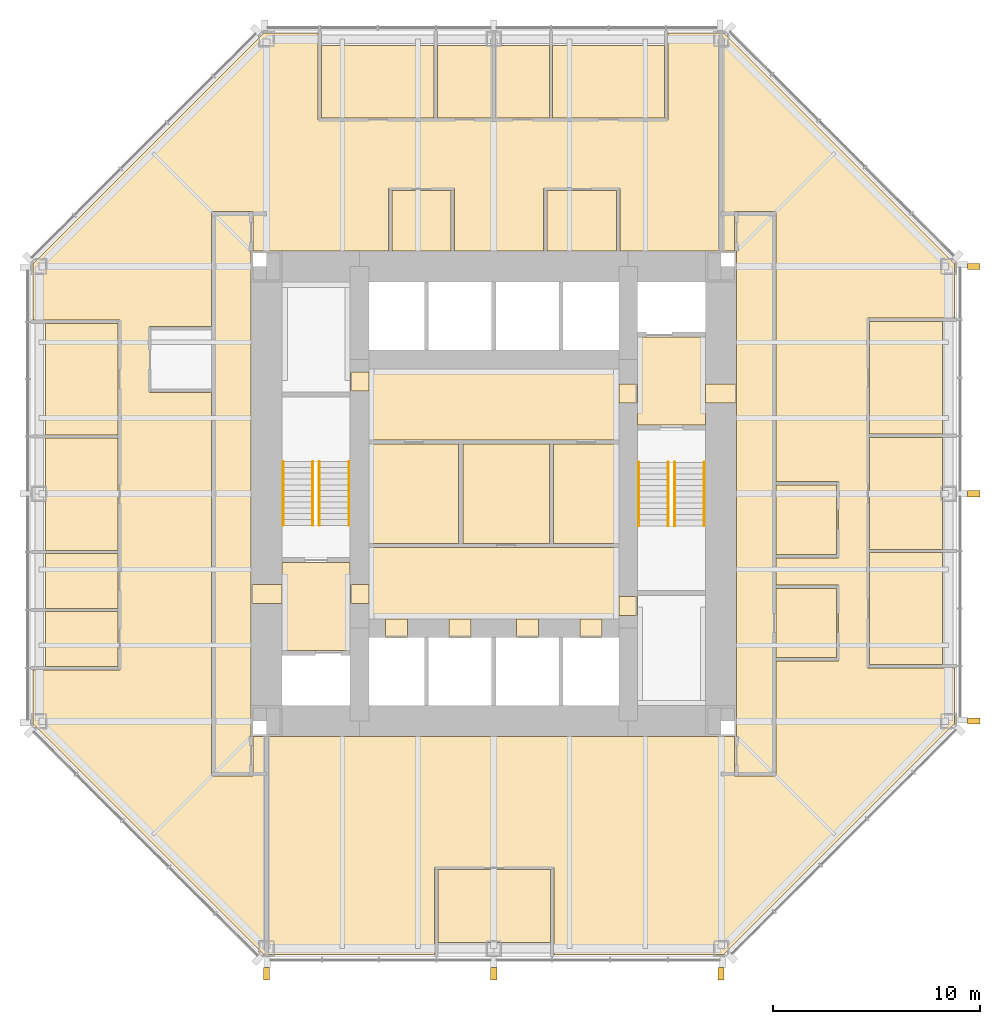
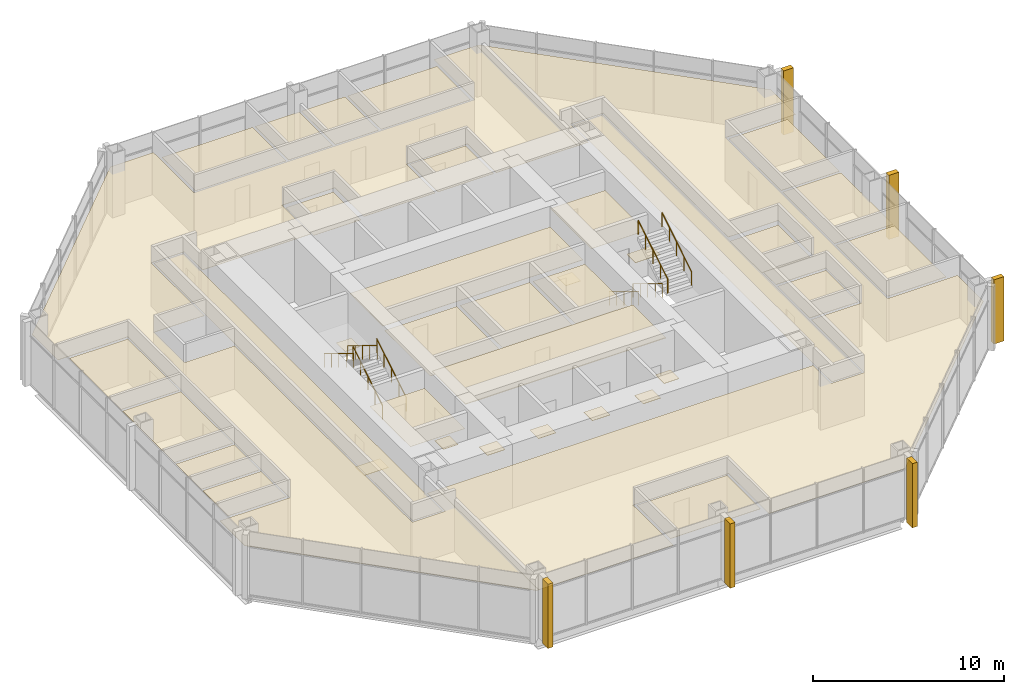
# One storey, part 12 of 12: 43 coverings, 8 railings.
"""IFC4 building model written with IfcOpenShell, lengths in metres."""

from ifc_helpers import new_model, si_unit, direction, frame, origin, origin_2d, place, context, subcontext, project, spatial, polyline, rectangle, circle, outline, extrude, material, layer, layer_set, type_object, element, save


model = new_model("IFC4")

# Units and contexts
model_context = context("Model", 3, precision=1e-05, world=origin(), true_north=direction((0.0, 1.0)))
body_context = subcontext(model_context, "Body", "Model", "MODEL_VIEW")
ifc_project = project(units=[si_unit("LENGTHUNIT", "METRE"), si_unit("AREAUNIT", "SQUARE_METRE"), si_unit("VOLUMEUNIT", "CUBIC_METRE"), si_unit("PLANEANGLEUNIT", "RADIAN"), si_unit("MASSUNIT", "GRAM", prefix="KILO")], contexts=[model_context])

# Site, building, storey
site_placement = place(None, origin())
site = spatial("IfcSite", under=ifc_project, at=site_placement, CompositionType="ELEMENT")
building_placement = place(site_placement, origin())
building = spatial("IfcBuilding", under=site, at=building_placement, Name="Trevanion Tower", CompositionType="ELEMENT")
storey_placement = place(building_placement, frame((0.0, 0.0, 125.39990234375)))
storey = spatial("IfcBuildingStorey", under=building, at=storey_placement, Name="L29", CompositionType="ELEMENT", Elevation=125.39990234375)

# Coverings
ifc_material_1 = material(Name="Fibrous plaster coffers on suspended steel grid", Category="steel")
ifc_layer_1 = layer(ifc_material_1, 0.050048828125)
ifc_layer_set_1 = layer_set([ifc_layer_1], Name="CL1 coffered fibrous plaster ceiling 50")
covering_type_1 = type_object("IfcCoveringType", Name="CL1 coffered fibrous plaster ceiling 50", PredefinedType="CEILING", material=ifc_layer_set_1)
covering_1_placement = place(storey_placement, frame((0.0, 0.0, 3.0)))
element("IfcCovering", 1, at=covering_1_placement, inside=storey, type_object=covering_type_1, Name="CL1 L29-LBS", PredefinedType="CEILING", context=body_context, shape_type="SweptSolid", body=[
    extrude(outline(polyline([(6.050048828125, -6.050048828125), (6.050048828125, -2.60009765625), (-6.050048828125, -2.60009765625), (-6.050048828125, -6.050048828125), (6.050048828125, -6.050048828125)])), origin(), (0.0, 0.0, 1.0), 0.050048828125),
])
ifc_material_2 = material(Name="Mineral fibre acoustic tiles in exposed grid", Category="mineral fibre")
ifc_layer_2 = layer(ifc_material_2, 0.02001953125)
ifc_layer_set_2 = layer_set([ifc_layer_2], Name="CL2 acoustic tile ceiling 20")
covering_type_2 = type_object("IfcCoveringType", Name="CL2 acoustic tile ceiling 20", PredefinedType="CEILING", material=ifc_layer_set_2)
covering_2_placement = place(storey_placement, frame((0.0, 0.0, 2.75)))
element("IfcCovering", 2, at=covering_2_placement, inside=storey, type_object=covering_type_2, Name="CL2 L29-LBN", PredefinedType="CEILING", context=body_context, shape_type="SweptSolid", body=[
    extrude(outline(polyline([(6.050048828125, 2.60009765625), (6.050048828125, 6.050048828125), (-6.050048828125, 6.050048828125), (-6.050048828125, 2.60009765625), (6.050048828125, 2.60009765625)])), origin(), (0.0, 0.0, 1.0), 0.02001953125),
])
covering_3_placement = place(storey_placement, frame((0.0, 0.0, 2.75)))
element("IfcCovering", 3, at=covering_3_placement, inside=storey, type_object=covering_type_2, Name="CL2 L29-CO1", PredefinedType="CEILING", context=body_context, shape_type="SweptSolid", body=[
    extrude(outline(polyline([(-11.75, 13.550048828125), (-11.75, -13.550048828125), (-13.550048828125, -13.550048828125), (-13.550048828125, 13.550048828125), (-11.75, 13.550048828125)])), origin(), (0.0, 0.0, 1.0), 0.02001953125),
])
covering_4_placement = place(storey_placement, frame((0.0, 0.0, 2.75)))
element("IfcCovering", 4, at=covering_4_placement, inside=storey, type_object=covering_type_2, Name="CL2 L29-CO2", PredefinedType="CEILING", context=body_context, shape_type="SweptSolid", body=[
    extrude(outline(polyline([(11.75, 13.550048828125), (13.550048828125, 13.550048828125), (13.550048828125, -13.550048828125), (11.75, -13.550048828125), (11.75, 13.550048828125)])), origin(), (0.0, 0.0, 1.0), 0.02001953125),
])
covering_5_placement = place(storey_placement, frame((0.0, 0.0, 2.75)))
element("IfcCovering", 5, at=covering_5_placement, inside=storey, type_object=covering_type_2, Name="CL2 L29-MR", PredefinedType="CEILING", context=body_context, shape_type="SweptSolid", body=[
    extrude(outline(polyline([(18.175048828125, -8.248046875), (18.175048828125, -2.85009765625), (21.699951171875, -2.85009765625), (21.699951171875, -8.248046875), (18.175048828125, -8.248046875)])), origin(), (0.0, 0.0, 1.0), 0.02001953125),
])
covering_6_placement = place(storey_placement, frame((0.0, 0.0, 2.75)))
element("IfcCovering", 6, at=covering_6_placement, inside=storey, type_object=covering_type_2, Name="CL2 L29-MR2", PredefinedType="CEILING", context=body_context, shape_type="SweptSolid", body=[
    extrude(outline(polyline([(18.175048828125, -2.699951171875), (18.175048828125, 2.73193359375), (21.699951171875, 2.73193359375), (21.699951171875, -2.699951171875), (18.175048828125, -2.699951171875)])), origin(), (0.0, 0.0, 1.0), 0.02001953125),
])
covering_7_placement = place(storey_placement, frame((0.0, 0.0, 2.75)))
element("IfcCovering", 7, at=covering_7_placement, inside=storey, type_object=covering_type_2, Name="CL2 L29-MR3", PredefinedType="CEILING", context=body_context, shape_type="SweptSolid", body=[
    extrude(outline(polyline([(18.175048828125, 2.882080078125), (18.175048828125, 8.345947265625), (21.699951171875, 8.345947265625), (21.699951171875, 2.882080078125), (18.175048828125, 2.882080078125)])), origin(), (0.0, 0.0, 1.0), 0.02001953125),
])
covering_8_placement = place(storey_placement, frame((0.0, 0.0, 2.75)))
element("IfcCovering", 8, at=covering_8_placement, inside=storey, type_object=covering_type_2, Name="CL2 L29-MR4", PredefinedType="CEILING", context=body_context, shape_type="SweptSolid", body=[
    extrude(outline(polyline([(8.248046875, 18.175048828125), (2.85009765625, 18.175048828125), (2.85009765625, 21.699951171875), (8.248046875, 21.699951171875), (8.248046875, 18.175048828125)])), origin(), (0.0, 0.0, 1.0), 0.02001953125),
])
covering_9_placement = place(storey_placement, frame((0.0, 0.0, 2.75)))
element("IfcCovering", 9, at=covering_9_placement, inside=storey, type_object=covering_type_2, Name="CL2 L29-OF", PredefinedType="CEILING", context=body_context, shape_type="SweptSolid", body=[
    extrude(outline(polyline([(2.699951171875, 18.175048828125), (0.074951171875, 18.175048828125), (0.074951171875, 21.699951171875), (2.699951171875, 21.699951171875), (2.699951171875, 18.175048828125)])), origin(), (0.0, 0.0, 1.0), 0.02001953125),
])
covering_10_placement = place(storey_placement, frame((0.0, 0.0, 2.75)))
element("IfcCovering", 10, at=covering_10_placement, inside=storey, type_object=covering_type_2, Name="CL2 L29-OF2", PredefinedType="CEILING", context=body_context, shape_type="SweptSolid", body=[
    extrude(outline(polyline([(-0.074951171875, 18.175048828125), (-2.73193359375, 18.175048828125), (-2.73193359375, 21.699951171875), (-0.074951171875, 21.699951171875), (-0.074951171875, 18.175048828125)])), origin(), (0.0, 0.0, 1.0), 0.02001953125),
])
covering_11_placement = place(storey_placement, frame((0.0, 0.0, 2.75)))
element("IfcCovering", 11, at=covering_11_placement, inside=storey, type_object=covering_type_2, Name="CL2 L29-MR5", PredefinedType="CEILING", context=body_context, shape_type="SweptSolid", body=[
    extrude(outline(polyline([(-2.882080078125, 18.175048828125), (-8.345947265625, 18.175048828125), (-8.345947265625, 21.699951171875), (-2.882080078125, 21.699951171875), (-2.882080078125, 18.175048828125)])), origin(), (0.0, 0.0, 1.0), 0.02001953125),
])
covering_12_placement = place(storey_placement, frame((0.0, 0.0, 2.75)))
element("IfcCovering", 12, at=covering_12_placement, inside=storey, type_object=covering_type_2, Name="CL2 L29-MR6", PredefinedType="CEILING", context=body_context, shape_type="SweptSolid", body=[
    extrude(outline(polyline([(-18.175048828125, 8.248046875), (-18.175048828125, 2.85009765625), (-21.699951171875, 2.85009765625), (-21.699951171875, 8.248046875), (-18.175048828125, 8.248046875)])), origin(), (0.0, 0.0, 1.0), 0.02001953125),
])
covering_13_placement = place(storey_placement, frame((0.0, 0.0, 2.75)))
element("IfcCovering", 13, at=covering_13_placement, inside=storey, type_object=covering_type_2, Name="CL2 L29-MR7", PredefinedType="CEILING", context=body_context, shape_type="SweptSolid", body=[
    extrude(outline(polyline([(-18.175048828125, 2.699951171875), (-18.175048828125, -2.73193359375), (-21.699951171875, -2.73193359375), (-21.699951171875, 2.699951171875), (-18.175048828125, 2.699951171875)])), origin(), (0.0, 0.0, 1.0), 0.02001953125),
])
covering_14_placement = place(storey_placement, frame((0.0, 0.0, 2.75)))
element("IfcCovering", 14, at=covering_14_placement, inside=storey, type_object=covering_type_2, Name="CL2 L29-OF3", PredefinedType="CEILING", context=body_context, shape_type="SweptSolid", body=[
    extrude(outline(polyline([(-18.175048828125, -2.882080078125), (-18.175048828125, -5.5390625), (-21.699951171875, -5.5390625), (-21.699951171875, -2.882080078125), (-18.175048828125, -2.882080078125)])), origin(), (0.0, 0.0, 1.0), 0.02001953125),
])
covering_15_placement = place(storey_placement, frame((0.0, 0.0, 2.75)))
element("IfcCovering", 15, at=covering_15_placement, inside=storey, type_object=covering_type_2, Name="CL2 L29-OF4", PredefinedType="CEILING", context=body_context, shape_type="SweptSolid", body=[
    extrude(outline(polyline([(-18.175048828125, -5.68896484375), (-18.175048828125, -8.345947265625), (-21.699951171875, -8.345947265625), (-21.699951171875, -5.68896484375), (-18.175048828125, -5.68896484375)])), origin(), (0.0, 0.0, 1.0), 0.02001953125),
])
covering_16_placement = place(storey_placement, frame((0.0, 0.0, 2.75)))
element("IfcCovering", 16, at=covering_16_placement, inside=storey, type_object=covering_type_2, Name="CL2 L29-MR8", PredefinedType="CEILING", context=body_context, shape_type="SweptSolid", body=[
    extrude(outline(polyline([(-2.699951171875, -18.175048828125), (2.73193359375, -18.175048828125), (2.73193359375, -21.699951171875), (-2.699951171875, -21.699951171875), (-2.699951171875, -18.175048828125)])), origin(), (0.0, 0.0, 1.0), 0.02001953125),
])
covering_17_placement = place(storey_placement, frame((0.0, 0.0, 2.75)))
element("IfcCovering", 17, at=covering_17_placement, inside=storey, type_object=covering_type_2, Name="CL2 L29-RC", PredefinedType="CEILING", context=body_context, shape_type="SweptSolid", body=[
    extrude(outline(polyline([(13.64990234375, -7.925048828125), (13.64990234375, -4.574951171875), (16.574951171875, -4.574951171875), (16.574951171875, -7.925048828125), (13.64990234375, -7.925048828125)])), origin(), (0.0, 0.0, 1.0), 0.02001953125),
])
covering_18_placement = place(storey_placement, frame((0.0, 0.0, 2.75)))
element("IfcCovering", 18, at=covering_18_placement, inside=storey, type_object=covering_type_2, Name="CL2 L29-RC2", PredefinedType="CEILING", context=body_context, shape_type="SweptSolid", body=[
    extrude(outline(polyline([(2.574951171875, 14.675048828125), (5.925048828125, 14.675048828125), (5.925048828125, 11.75), (2.574951171875, 11.75), (2.574951171875, 14.675048828125)])), origin(), (0.0, 0.0, 1.0), 0.02001953125),
])
covering_19_placement = place(storey_placement, frame((0.0, 0.0, 2.75)))
element("IfcCovering", 19, at=covering_19_placement, inside=storey, type_object=covering_type_2, Name="CL2 L29-OP", PredefinedType="CEILING", context=body_context, shape_type="SweptSolid", body=[
    extrude(outline(polyline([(11.64990234375, -13.64990234375), (13.64990234375, -13.64990234375), (13.64990234375, -8.094970703125), (16.669921875, -8.094970703125), (16.669921875, -4.405029296875), (13.64990234375, -4.405029296875), (13.64990234375, -3.094970703125), (16.669921875, -3.094970703125), (16.669921875, 0.594970703125), (13.64990234375, 0.594970703125), (13.64990234375, 13.64990234375), (11.64990234375, 13.64990234375), (11.64990234375, 11.75), (11.0, 11.75), (11.0, 22.300048828125), (11.124267578125, 22.300048828125), (22.300048828125, 11.124267578125), (22.300048828125, 8.51611328125), (18.080078125, 8.51611328125), (18.080078125, -8.41796875), (22.300048828125, -8.41796875), (22.300048828125, -11.124267578125), (11.124267578125, -22.300048828125), (2.902099609375, -22.300048828125), (2.902099609375, -18.080078125), (-2.8701171875, -18.080078125), (-2.8701171875, -22.300048828125), (-11.0, -22.300048828125), (-11.0, -11.75), (11.64990234375, -11.75), (11.64990234375, -13.64990234375)])), origin(), (0.0, 0.0, 1.0), 0.02001953125),
])
covering_20_placement = place(storey_placement, frame((0.0, 0.0, 2.75)))
element("IfcCovering", 20, at=covering_20_placement, inside=storey, type_object=covering_type_2, Name="CL2 L29-OP2", PredefinedType="CEILING", context=body_context, shape_type="SweptSolid", body=[
    extrude(outline(polyline([(-11.64990234375, -13.64990234375), (-11.64990234375, -11.75), (-11.0, -11.75), (-11.0, -22.300048828125), (-11.124267578125, -22.300048828125), (-22.300048828125, -11.124267578125), (-22.300048828125, -8.51611328125), (-18.080078125, -8.51611328125), (-18.080078125, 8.41796875), (-22.300048828125, 8.41796875), (-22.300048828125, 11.124267578125), (-11.124267578125, 22.300048828125), (-8.51611328125, 22.300048828125), (-8.51611328125, 18.080078125), (8.41796875, 18.080078125), (8.41796875, 22.300048828125), (11.0, 22.300048828125), (11.0, 11.75), (6.094970703125, 11.75), (6.094970703125, 14.77001953125), (2.405029296875, 14.77001953125), (2.405029296875, 11.75), (-1.905029296875, 11.75), (-1.905029296875, 14.77001953125), (-5.094970703125, 14.77001953125), (-5.094970703125, 11.75), (-11.64990234375, 11.75), (-11.64990234375, 13.64990234375), (-13.64990234375, 13.64990234375), (-13.64990234375, 8.094970703125), (-16.669921875, 8.094970703125), (-16.669921875, 4.905029296875), (-13.64990234375, 4.905029296875), (-13.64990234375, -13.64990234375), (-11.64990234375, -13.64990234375)])), origin(), (0.0, 0.0, 1.0), 0.02001953125),
])
ifc_material_3 = material(Name="Gypsum plasterboard on suspended metal furring", Category="gypsum")
ifc_layer_3 = layer(ifc_material_3, 0.012939453125)
ifc_layer_set_3 = layer_set([ifc_layer_3], Name="CL3 plasterboard ceiling 13")
covering_type_3 = type_object("IfcCoveringType", Name="CL3 plasterboard ceiling 13", PredefinedType="CEILING", material=ifc_layer_set_3)
covering_21_placement = place(storey_placement, frame((0.0, 0.0, 2.7001953125)))
element("IfcCovering", 21, at=covering_21_placement, inside=storey, type_object=covering_type_3, Name="CL3 L29-FV1", PredefinedType="CEILING", context=body_context, shape_type="SweptSolid", body=[
    extrude(outline(polyline([(10.25, 3.324951171875), (10.25, 7.574951171875), (6.949951171875, 7.574951171875), (6.949951171875, 3.324951171875), (10.25, 3.324951171875)])), origin(), (0.0, 0.0, 1.0), 0.012939453125),
])
covering_22_placement = place(storey_placement, frame((0.0, 0.0, 2.7001953125)))
element("IfcCovering", 22, at=covering_22_placement, inside=storey, type_object=covering_type_3, Name="CL3 L29-FV2", PredefinedType="CEILING", context=body_context, shape_type="SweptSolid", body=[
    extrude(outline(polyline([(-10.25, -3.324951171875), (-10.25, -7.574951171875), (-6.949951171875, -7.574951171875), (-6.949951171875, -3.324951171875), (-10.25, -3.324951171875)])), origin(), (0.0, 0.0, 1.0), 0.012939453125),
])
ifc_material_4 = material(Name="Moisture-resistant gypsum board on suspended metal furring", Category="gypsum")
ifc_layer_4 = layer(ifc_material_4, 0.01611328125)
ifc_layer_set_4 = layer_set([ifc_layer_4], Name="CL4 moisture-resistant board ceiling 16")
covering_type_4 = type_object("IfcCoveringType", Name="CL4 moisture-resistant board ceiling 16", PredefinedType="CEILING", material=ifc_layer_set_4)
covering_23_placement = place(storey_placement, frame((0.0, 0.0, 2.60009765625)))
element("IfcCovering", 23, at=covering_23_placement, inside=storey, type_object=covering_type_4, Name="CL4 L29-WCF", PredefinedType="CEILING", context=body_context, shape_type="SweptSolid", body=[
    extrude(outline(polyline([(-1.699951171875, -2.39990234375), (-1.699951171875, 2.39990234375), (-6.050048828125, 2.39990234375), (-6.050048828125, -2.39990234375), (-1.699951171875, -2.39990234375)])), origin(), (0.0, 0.0, 1.0), 0.01611328125),
])
covering_24_placement = place(storey_placement, frame((0.0, 0.0, 2.60009765625)))
element("IfcCovering", 24, at=covering_24_placement, inside=storey, type_object=covering_type_4, Name="CL4 L29-WCM", PredefinedType="CEILING", context=body_context, shape_type="SweptSolid", body=[
    extrude(outline(polyline([(2.699951171875, -2.39990234375), (2.699951171875, 2.39990234375), (-1.5, 2.39990234375), (-1.5, -2.39990234375), (2.699951171875, -2.39990234375)])), origin(), (0.0, 0.0, 1.0), 0.01611328125),
])
covering_25_placement = place(storey_placement, frame((0.0, 0.0, 2.60009765625)))
element("IfcCovering", 25, at=covering_25_placement, inside=storey, type_object=covering_type_4, Name="CL4 L29-WCA", PredefinedType="CEILING", context=body_context, shape_type="SweptSolid", body=[
    extrude(outline(polyline([(6.050048828125, -2.39990234375), (6.050048828125, 2.39990234375), (2.89990234375, 2.39990234375), (2.89990234375, -2.39990234375), (6.050048828125, -2.39990234375)])), origin(), (0.0, 0.0, 1.0), 0.01611328125),
])
covering_26_placement = place(storey_placement, frame((0.0, 0.0, 2.60009765625)))
element("IfcCovering", 26, at=covering_26_placement, inside=storey, type_object=covering_type_4, Name="CL4 L29-PA", PredefinedType="CEILING", context=body_context, shape_type="SweptSolid", body=[
    extrude(outline(polyline([(13.64990234375, -2.925048828125), (13.64990234375, 0.425048828125), (16.574951171875, 0.425048828125), (16.574951171875, -2.925048828125), (13.64990234375, -2.925048828125)])), origin(), (0.0, 0.0, 1.0), 0.01611328125),
])
covering_27_placement = place(storey_placement, frame((0.0, 0.0, 2.60009765625)))
element("IfcCovering", 27, at=covering_27_placement, inside=storey, type_object=covering_type_4, Name="CL4 L29-PA2", PredefinedType="CEILING", context=body_context, shape_type="SweptSolid", body=[
    extrude(outline(polyline([(-4.925048828125, 14.675048828125), (-2.074951171875, 14.675048828125), (-2.074951171875, 11.75), (-4.925048828125, 11.75), (-4.925048828125, 14.675048828125)])), origin(), (0.0, 0.0, 1.0), 0.01611328125),
])
ifc_material_5 = material(Name="Cast bronze fin on aluminium carrier", Category="aluminium")
covering_type_5 = type_object("IfcCoveringType", Name="F1 bronze fin", PredefinedType="CLADDING", material=ifc_material_5)
for number, where, z_axis, x_axis, name in (
    (28, (23.22509765625, -11.0, -0.18994140625), (0.0, 0.0, 1.0), (0.0, 1.0, 0.0), "F1 L29 east -11.0"),
    (29, (23.22509765625, 0.0, -0.18994140625), (0.0, 0.0, 1.0), (0.0, 1.0, 0.0), "F1 L29 east +0.0"),
    (30, (23.22509765625, 11.0, -0.18994140625), (0.0, 0.0, 1.0), (0.0, 1.0, 0.0), "F1 L29 east +11.0"),
    (31, (-11.0, -23.22509765625, -0.18994140625), (0.0, 0.0, 1.0), (1.0, 0.0, 0.0), "F1 L29 south -11.0"),
    (32, (0.0, -23.22509765625, -0.18994140625), (0.0, 0.0, 1.0), (1.0, 0.0, 0.0), "F1 L29 south +0.0"),
    (33, (11.0, -23.22509765625, -0.18994140625), (0.0, 0.0, 1.0), (1.0, 0.0, 0.0), "F1 L29 south +11.0"),
):
    element("IfcCovering", number, at=place(storey_placement, frame(where, z_axis=z_axis, x_axis=x_axis)), inside=storey, type_object=covering_type_5, Name=name, PredefinedType="CLADDING", context=body_context, shape_type="SweptSolid", body=[
        extrude(rectangle(XDim=0.300048828125, YDim=0.60009765625, at=origin_2d()), origin(), (0.0, 0.0, 1.0), 4.10009765625),
    ])
ifc_material_6 = material(Name="Terrazzo, brass divider strips", Category="stone")
ifc_layer_5 = layer(ifc_material_6, 0.02001953125)
ifc_layer_set_5 = layer_set([ifc_layer_5], Name="FF1 terrazzo flooring")
covering_type_6 = type_object("IfcCoveringType", Name="FF1 terrazzo flooring", PredefinedType="FLOORING", material=ifc_layer_set_5)
covering_28_placement = place(storey_placement, origin())
element("IfcCovering", 34, at=covering_28_placement, inside=storey, type_object=covering_type_6, Name="FF1 threshold 29-001", PredefinedType="FLOORING", context=body_context, shape_type="SweptSolid", body=[
    extrude(outline(polyline([(11.75, 4.392578125), (11.75, 5.3076171875), (10.25, 5.3076171875), (10.25, 4.392578125), (11.75, 4.392578125)])), origin(), (0.0, 0.0, 1.0), 0.02001953125),
])
covering_29_placement = place(storey_placement, origin())
element("IfcCovering", 35, at=covering_29_placement, inside=storey, type_object=covering_type_6, Name="FF1 threshold 29-002", PredefinedType="FLOORING", context=body_context, shape_type="SweptSolid", body=[
    extrude(outline(polyline([(-11.75, -4.392578125), (-11.75, -5.3076171875), (-10.25, -5.3076171875), (-10.25, -4.392578125), (-11.75, -4.392578125)])), origin(), (0.0, 0.0, 1.0), 0.02001953125),
])
covering_30_placement = place(storey_placement, origin())
element("IfcCovering", 36, at=covering_30_placement, inside=storey, type_object=covering_type_6, Name="FF1 threshold 29-003", PredefinedType="FLOORING", context=body_context, shape_type="SweptSolid", body=[
    extrude(outline(polyline([(6.949951171875, 4.392578125), (6.949951171875, 5.3076171875), (6.050048828125, 5.3076171875), (6.050048828125, 4.392578125), (6.949951171875, 4.392578125)])), origin(), (0.0, 0.0, 1.0), 0.02001953125),
])
covering_31_placement = place(storey_placement, origin())
element("IfcCovering", 37, at=covering_31_placement, inside=storey, type_object=covering_type_6, Name="FF1 threshold 29-004", PredefinedType="FLOORING", context=body_context, shape_type="SweptSolid", body=[
    extrude(outline(polyline([(-6.949951171875, -4.392578125), (-6.949951171875, -5.3076171875), (-6.050048828125, -5.3076171875), (-6.050048828125, -4.392578125), (-6.949951171875, -4.392578125)])), origin(), (0.0, 0.0, 1.0), 0.02001953125),
])
covering_32_placement = place(storey_placement, origin())
element("IfcCovering", 38, at=covering_32_placement, inside=storey, type_object=covering_type_6, Name="FF1 threshold 29-009", PredefinedType="FLOORING", context=body_context, shape_type="SweptSolid", body=[
    extrude(outline(polyline([(6.949951171875, -5.889892578125), (6.949951171875, -4.97509765625), (6.050048828125, -4.97509765625), (6.050048828125, -5.889892578125), (6.949951171875, -5.889892578125)])), origin(), (0.0, 0.0, 1.0), 0.02001953125),
])
covering_33_placement = place(storey_placement, origin())
element("IfcCovering", 39, at=covering_33_placement, inside=storey, type_object=covering_type_6, Name="FF1 threshold 29-010", PredefinedType="FLOORING", context=body_context, shape_type="SweptSolid", body=[
    extrude(outline(polyline([(-6.949951171875, 5.889892578125), (-6.949951171875, 4.97509765625), (-6.050048828125, 4.97509765625), (-6.050048828125, 5.889892578125), (-6.949951171875, 5.889892578125)])), origin(), (0.0, 0.0, 1.0), 0.02001953125),
])
covering_34_placement = place(storey_placement, origin())
element("IfcCovering", 40, at=covering_34_placement, inside=storey, type_object=covering_type_6, Name="FF1 threshold 29-011", PredefinedType="FLOORING", context=body_context, shape_type="SweptSolid", body=[
    extrude(outline(polyline([(-5.2333984375, -6.949951171875), (-4.16650390625, -6.949951171875), (-4.16650390625, -6.050048828125), (-5.2333984375, -6.050048828125), (-5.2333984375, -6.949951171875)])), origin(), (0.0, 0.0, 1.0), 0.02001953125),
])
covering_35_placement = place(storey_placement, origin())
element("IfcCovering", 41, at=covering_35_placement, inside=storey, type_object=covering_type_6, Name="FF1 threshold 29-012", PredefinedType="FLOORING", context=body_context, shape_type="SweptSolid", body=[
    extrude(outline(polyline([(-2.158447265625, -6.949951171875), (-1.091552734375, -6.949951171875), (-1.091552734375, -6.050048828125), (-2.158447265625, -6.050048828125), (-2.158447265625, -6.949951171875)])), origin(), (0.0, 0.0, 1.0), 0.02001953125),
])
covering_36_placement = place(storey_placement, origin())
element("IfcCovering", 42, at=covering_36_placement, inside=storey, type_object=covering_type_6, Name="FF1 threshold 29-013", PredefinedType="FLOORING", context=body_context, shape_type="SweptSolid", body=[
    extrude(outline(polyline([(1.091552734375, -6.949951171875), (2.158447265625, -6.949951171875), (2.158447265625, -6.050048828125), (1.091552734375, -6.050048828125), (1.091552734375, -6.949951171875)])), origin(), (0.0, 0.0, 1.0), 0.02001953125),
])
covering_37_placement = place(storey_placement, origin())
element("IfcCovering", 43, at=covering_37_placement, inside=storey, type_object=covering_type_6, Name="FF1 threshold 29-014", PredefinedType="FLOORING", context=body_context, shape_type="SweptSolid", body=[
    extrude(outline(polyline([(4.16650390625, -6.949951171875), (5.2333984375, -6.949951171875), (5.2333984375, -6.050048828125), (4.16650390625, -6.050048828125), (4.16650390625, -6.949951171875)])), origin(), (0.0, 0.0, 1.0), 0.02001953125),
])

# Railings
ifc_material_7 = material(Name="Stainless steel tube 40 mm", Category="steel")
railing_type = type_object("IfcRailingType", Name="HR1 handrail", PredefinedType="HANDRAIL", material=ifc_material_7)
for number, where, name in (
    (44, (7.010009765625, 1.52490234375, 0.1708984375), "HR1 ST1 L29 flight 1"),
    (45, (8.43994140625, 1.52490234375, 0.1708984375), "HR1 ST1 L29 flight 1"),
):
    element("IfcRailing", number, at=place(storey_placement, frame(where)), inside=storey, type_object=railing_type, Name=name, PredefinedType="HANDRAIL", context=body_context, shape_type="SweptSolid", body=[
        extrude(circle(Radius=0.02001953125, at=origin_2d()), frame((0.0, 0.0, 0.8798828125), z_axis=(0.0, -0.853647949592, 0.520850437417), x_axis=(1.0, 0.0, 0.0)), (0.0, 0.0, 1.0), 3.60791015625),
        extrude(circle(Radius=0.01513671875, at=origin_2d()), origin(), (0.0, 0.0, 1.0), 0.85986328125),
        extrude(circle(Radius=0.01513671875, at=origin_2d()), frame((0.0, -0.77001953125, 0.4697265625)), (0.0, 0.0, 1.0), 0.85986328125),
        extrude(circle(Radius=0.01513671875, at=origin_2d()), frame((0.0, -1.5400390625, 0.939453125)), (0.0, 0.0, 1.0), 0.85986328125),
        extrude(circle(Radius=0.01513671875, at=origin_2d()), frame((0.0, -2.309814453125, 1.409423828125)), (0.0, 0.0, 1.0), 0.85986328125),
        extrude(circle(Radius=0.01513671875, at=origin_2d()), frame((0.0, -3.079833984375, 1.879150390625)), (0.0, 0.0, 1.0), 0.85986328125),
    ])
for number, where, name in (
    (46, (8.760009765625, -1.554931640625, 2.220947265625), "HR1 ST1 L29 flight 2"),
    (47, (10.18994140625, -1.554931640625, 2.220947265625), "HR1 ST1 L29 flight 2"),
    (48, (-7.010009765625, -1.52490234375, 0.1708984375), "HR1 ST2 L29 flight 1"),
    (49, (-8.43994140625, -1.52490234375, 0.1708984375), "HR1 ST2 L29 flight 1"),
):
    element("IfcRailing", number, at=place(storey_placement, frame(where)), inside=storey, type_object=railing_type, Name=name, PredefinedType="HANDRAIL", context=body_context, shape_type="SweptSolid", body=[
        extrude(circle(Radius=0.02001953125, at=origin_2d()), frame((0.0, 0.0, 0.8798828125), z_axis=(0.0, 0.853647949592, 0.520850437417), x_axis=(-1.0, 0.0, 0.0)), (0.0, 0.0, 1.0), 3.60791015625),
        extrude(circle(Radius=0.01513671875, at=origin_2d()), origin(), (0.0, 0.0, 1.0), 0.85986328125),
        extrude(circle(Radius=0.01513671875, at=origin_2d()), frame((0.0, 0.77001953125, 0.4697265625)), (0.0, 0.0, 1.0), 0.85986328125),
        extrude(circle(Radius=0.01513671875, at=origin_2d()), frame((0.0, 1.5400390625, 0.939453125)), (0.0, 0.0, 1.0), 0.85986328125),
        extrude(circle(Radius=0.01513671875, at=origin_2d()), frame((0.0, 2.309814453125, 1.409423828125)), (0.0, 0.0, 1.0), 0.85986328125),
        extrude(circle(Radius=0.01513671875, at=origin_2d()), frame((0.0, 3.079833984375, 1.879150390625)), (0.0, 0.0, 1.0), 0.85986328125),
    ])
for number, where, name in (
    (50, (-8.760009765625, 1.554931640625, 2.220947265625), "HR1 ST2 L29 flight 2"),
    (51, (-10.18994140625, 1.554931640625, 2.220947265625), "HR1 ST2 L29 flight 2"),
):
    element("IfcRailing", number, at=place(storey_placement, frame(where)), inside=storey, type_object=railing_type, Name=name, PredefinedType="HANDRAIL", context=body_context, shape_type="SweptSolid", body=[
        extrude(circle(Radius=0.02001953125, at=origin_2d()), frame((0.0, 0.0, 0.8798828125), z_axis=(0.0, -0.853647949592, 0.520850437417), x_axis=(1.0, 0.0, 0.0)), (0.0, 0.0, 1.0), 3.60791015625),
        extrude(circle(Radius=0.01513671875, at=origin_2d()), origin(), (0.0, 0.0, 1.0), 0.85986328125),
        extrude(circle(Radius=0.01513671875, at=origin_2d()), frame((0.0, -0.77001953125, 0.4697265625)), (0.0, 0.0, 1.0), 0.85986328125),
        extrude(circle(Radius=0.01513671875, at=origin_2d()), frame((0.0, -1.5400390625, 0.939453125)), (0.0, 0.0, 1.0), 0.85986328125),
        extrude(circle(Radius=0.01513671875, at=origin_2d()), frame((0.0, -2.309814453125, 1.409423828125)), (0.0, 0.0, 1.0), 0.85986328125),
        extrude(circle(Radius=0.01513671875, at=origin_2d()), frame((0.0, -3.079833984375, 1.879150390625)), (0.0, 0.0, 1.0), 0.85986328125),
    ])

save(model, "model.ifc")
